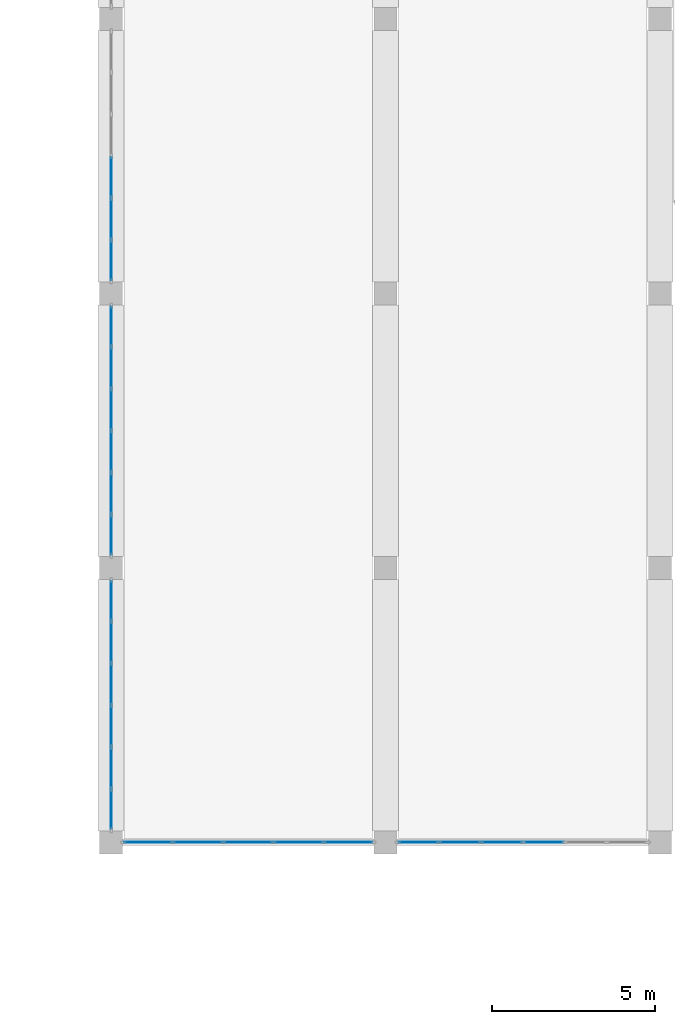
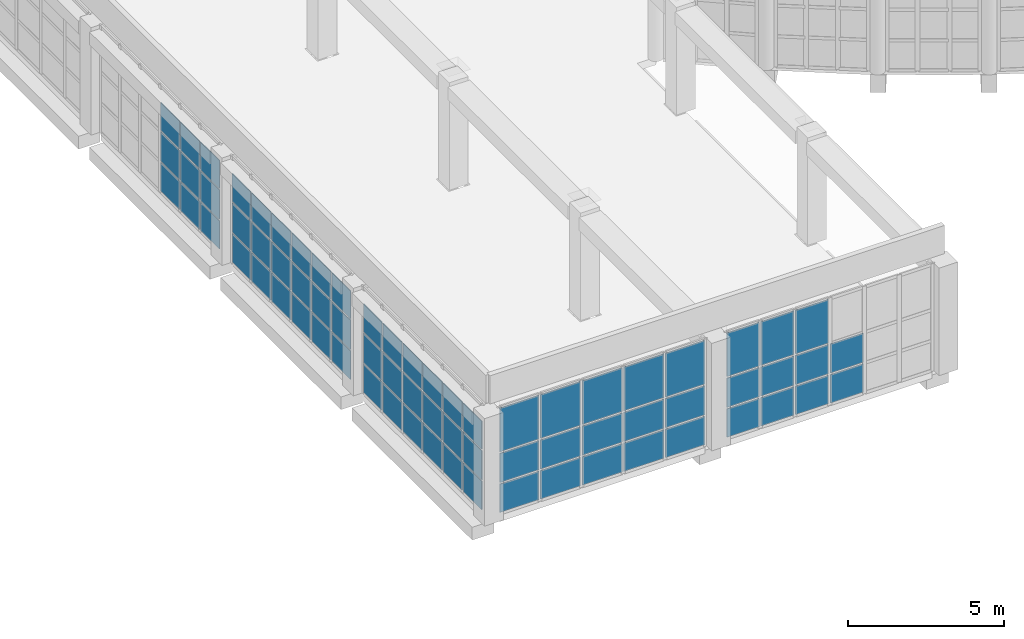
# One storey, part 67 of 162: 71 plates, 5 elements without a shape of their own.
"""IFC4 building model written with IfcOpenShell, lengths in metres."""

from ifc_helpers import new_model, si_unit, direction, frame, origin, origin_2d, place, context, subcontext, project, spatial, rectangle, extrude, material, layer, layer_set, type_object, element, aggregate, save


model = new_model("IFC4")

# Units and contexts
model_context = context("Model", 3, precision=1e-05, world=origin(), true_north=direction((0.0, 1.0)))
body_context = subcontext(model_context, "Body", "Model", "MODEL_VIEW")
ifc_project = project(units=[si_unit("LENGTHUNIT", "METRE"), si_unit("AREAUNIT", "SQUARE_METRE"), si_unit("VOLUMEUNIT", "CUBIC_METRE"), si_unit("PLANEANGLEUNIT", "RADIAN"), si_unit("MASSUNIT", "GRAM", prefix="KILO")], contexts=[model_context])

# Site, building, storey
site_placement = place(None, origin())
site = spatial("IfcSite", under=ifc_project, at=site_placement, CompositionType="ELEMENT")
building_placement = place(site_placement, origin())
building = spatial("IfcBuilding", under=site, at=building_placement, Name="Rain Tree Exposition and Congress Centre", CompositionType="ELEMENT")
storey_placement = place(building_placement, frame((0.0, 0.0, 6.0)))
storey = spatial("IfcBuildingStorey", under=building, at=storey_placement, Name="L01", CompositionType="ELEMENT", Elevation=6.0)

# Curtain wall, plates
ifc_material_1 = material(Name="Aluminium", Category="aluminium")
ifc_layer_1 = layer(ifc_material_1, 0.10009765625)
ifc_layer_set_1 = layer_set([ifc_layer_1], Name="Aluminium")
curtain_wall_type = type_object("IfcCurtainWallType", Name="Curtain wall congress", PredefinedType="NOTDEFINED", material=ifc_layer_set_1)
curtain_wall_1_placement = place(storey_placement, origin())
curtain_wall_1 = element("IfcCurtainWall", 1, at=curtain_wall_1_placement, inside=storey, type_object=curtain_wall_type, Name="Foyer curtain wall L01 bay 1", PredefinedType="NOTDEFINED")
ifc_material_2 = material(Name="Double glazed unit", Category="glass")
ifc_layer_2 = layer(ifc_material_2, 0.028076171875)
ifc_layer_set_2 = layer_set([ifc_layer_2], Name="Double glazed unit")
plate_type = type_object("IfcPlateType", Name="Glazing panel 28 congress", PredefinedType="CURTAIN_PANEL", material=ifc_layer_set_2)
plate_1_placement = place(storey_placement, frame((151.199951171875, 9.40673828125, 0.06005859375), z_axis=(0.0, 0.0, 1.0), x_axis=(0.0, 1.0, 0.0)))
plate_1 = element("IfcPlate", 2, at=plate_1_placement, type_object=plate_type, Name="CWG401 panel 1.1", PredefinedType="CURTAIN_PANEL", context=body_context, shape_type="SweptSolid", body=[
    extrude(rectangle(XDim=1.193359375, YDim=0.028076171875, at=origin_2d()), origin(), (0.0, 0.0, 1.0), 1.110107421875),
])
plate_2_placement = place(storey_placement, frame((151.199951171875, 9.40673828125, 1.22998046875), z_axis=(0.0, 0.0, 1.0), x_axis=(0.0, 1.0, 0.0)))
plate_2 = element("IfcPlate", 3, at=plate_2_placement, type_object=plate_type, Name="CWG401 panel 1.2", PredefinedType="CURTAIN_PANEL", context=body_context, shape_type="SweptSolid", body=[
    extrude(rectangle(XDim=1.193359375, YDim=0.028076171875, at=origin_2d()), origin(), (0.0, 0.0, 1.0), 1.139892578125),
])
plate_3_placement = place(storey_placement, frame((151.199951171875, 9.40673828125, 2.43017578125), z_axis=(0.0, 0.0, 1.0), x_axis=(0.0, 1.0, 0.0)))
plate_3 = element("IfcPlate", 4, at=plate_3_placement, type_object=plate_type, Name="CWG401 panel 1.3", PredefinedType="CURTAIN_PANEL", context=body_context, shape_type="SweptSolid", body=[
    extrude(rectangle(XDim=1.193359375, YDim=0.028076171875, at=origin_2d()), origin(), (0.0, 0.0, 1.0), 1.090087890625),
])
plate_4_placement = place(storey_placement, frame((151.199951171875, 10.675048828125, 0.06005859375), z_axis=(0.0, 0.0, 1.0), x_axis=(0.0, 1.0, 0.0)))
plate_4 = element("IfcPlate", 5, at=plate_4_placement, type_object=plate_type, Name="CWG401 panel 2.1", PredefinedType="CURTAIN_PANEL", context=body_context, shape_type="SweptSolid", body=[
    extrude(rectangle(XDim=1.223388671875, YDim=0.028076171875, at=origin_2d()), origin(), (0.0, 0.0, 1.0), 1.110107421875),
])
plate_5_placement = place(storey_placement, frame((151.199951171875, 10.675048828125, 1.22998046875), z_axis=(0.0, 0.0, 1.0), x_axis=(0.0, 1.0, 0.0)))
plate_5 = element("IfcPlate", 6, at=plate_5_placement, type_object=plate_type, Name="CWG401 panel 2.2", PredefinedType="CURTAIN_PANEL", context=body_context, shape_type="SweptSolid", body=[
    extrude(rectangle(XDim=1.223388671875, YDim=0.028076171875, at=origin_2d()), origin(), (0.0, 0.0, 1.0), 1.139892578125),
])
plate_6_placement = place(storey_placement, frame((151.199951171875, 10.675048828125, 2.43017578125), z_axis=(0.0, 0.0, 1.0), x_axis=(0.0, 1.0, 0.0)))
plate_6 = element("IfcPlate", 7, at=plate_6_placement, type_object=plate_type, Name="CWG401 panel 2.3", PredefinedType="CURTAIN_PANEL", context=body_context, shape_type="SweptSolid", body=[
    extrude(rectangle(XDim=1.223388671875, YDim=0.028076171875, at=origin_2d()), origin(), (0.0, 0.0, 1.0), 1.090087890625),
])
plate_7_placement = place(storey_placement, frame((151.199951171875, 11.958251953125, 0.06005859375), z_axis=(0.0, 0.0, 1.0), x_axis=(0.0, 1.0, 0.0)))
plate_7 = element("IfcPlate", 8, at=plate_7_placement, type_object=plate_type, Name="CWG401 panel 3.1", PredefinedType="CURTAIN_PANEL", context=body_context, shape_type="SweptSolid", body=[
    extrude(rectangle(XDim=1.223388671875, YDim=0.028076171875, at=origin_2d()), origin(), (0.0, 0.0, 1.0), 1.110107421875),
])
plate_8_placement = place(storey_placement, frame((151.199951171875, 11.958251953125, 1.22998046875), z_axis=(0.0, 0.0, 1.0), x_axis=(0.0, 1.0, 0.0)))
plate_8 = element("IfcPlate", 9, at=plate_8_placement, type_object=plate_type, Name="CWG401 panel 3.2", PredefinedType="CURTAIN_PANEL", context=body_context, shape_type="SweptSolid", body=[
    extrude(rectangle(XDim=1.223388671875, YDim=0.028076171875, at=origin_2d()), origin(), (0.0, 0.0, 1.0), 1.139892578125),
])
plate_9_placement = place(storey_placement, frame((151.199951171875, 11.958251953125, 2.43017578125), z_axis=(0.0, 0.0, 1.0), x_axis=(0.0, 1.0, 0.0)))
plate_9 = element("IfcPlate", 10, at=plate_9_placement, type_object=plate_type, Name="CWG401 panel 3.3", PredefinedType="CURTAIN_PANEL", context=body_context, shape_type="SweptSolid", body=[
    extrude(rectangle(XDim=1.223388671875, YDim=0.028076171875, at=origin_2d()), origin(), (0.0, 0.0, 1.0), 1.090087890625),
])
plate_10_placement = place(storey_placement, frame((151.199951171875, 13.24169921875, 0.06005859375), z_axis=(0.0, 0.0, 1.0), x_axis=(0.0, 1.0, 0.0)))
plate_10 = element("IfcPlate", 11, at=plate_10_placement, type_object=plate_type, Name="CWG401 panel 4.1", PredefinedType="CURTAIN_PANEL", context=body_context, shape_type="SweptSolid", body=[
    extrude(rectangle(XDim=1.223388671875, YDim=0.028076171875, at=origin_2d()), origin(), (0.0, 0.0, 1.0), 1.110107421875),
])
plate_11_placement = place(storey_placement, frame((151.199951171875, 13.24169921875, 1.22998046875), z_axis=(0.0, 0.0, 1.0), x_axis=(0.0, 1.0, 0.0)))
plate_11 = element("IfcPlate", 12, at=plate_11_placement, type_object=plate_type, Name="CWG401 panel 4.2", PredefinedType="CURTAIN_PANEL", context=body_context, shape_type="SweptSolid", body=[
    extrude(rectangle(XDim=1.223388671875, YDim=0.028076171875, at=origin_2d()), origin(), (0.0, 0.0, 1.0), 1.139892578125),
])
plate_12_placement = place(storey_placement, frame((151.199951171875, 13.24169921875, 2.43017578125), z_axis=(0.0, 0.0, 1.0), x_axis=(0.0, 1.0, 0.0)))
plate_12 = element("IfcPlate", 13, at=plate_12_placement, type_object=plate_type, Name="CWG401 panel 4.3", PredefinedType="CURTAIN_PANEL", context=body_context, shape_type="SweptSolid", body=[
    extrude(rectangle(XDim=1.223388671875, YDim=0.028076171875, at=origin_2d()), origin(), (0.0, 0.0, 1.0), 1.090087890625),
])
plate_13_placement = place(storey_placement, frame((151.199951171875, 14.52490234375, 0.06005859375), z_axis=(0.0, 0.0, 1.0), x_axis=(0.0, 1.0, 0.0)))
plate_13 = element("IfcPlate", 14, at=plate_13_placement, type_object=plate_type, Name="CWG401 panel 5.1", PredefinedType="CURTAIN_PANEL", context=body_context, shape_type="SweptSolid", body=[
    extrude(rectangle(XDim=1.223388671875, YDim=0.028076171875, at=origin_2d()), origin(), (0.0, 0.0, 1.0), 1.110107421875),
])
plate_14_placement = place(storey_placement, frame((151.199951171875, 14.52490234375, 1.22998046875), z_axis=(0.0, 0.0, 1.0), x_axis=(0.0, 1.0, 0.0)))
plate_14 = element("IfcPlate", 15, at=plate_14_placement, type_object=plate_type, Name="CWG401 panel 5.2", PredefinedType="CURTAIN_PANEL", context=body_context, shape_type="SweptSolid", body=[
    extrude(rectangle(XDim=1.223388671875, YDim=0.028076171875, at=origin_2d()), origin(), (0.0, 0.0, 1.0), 1.139892578125),
])
plate_15_placement = place(storey_placement, frame((151.199951171875, 14.52490234375, 2.43017578125), z_axis=(0.0, 0.0, 1.0), x_axis=(0.0, 1.0, 0.0)))
plate_15 = element("IfcPlate", 16, at=plate_15_placement, type_object=plate_type, Name="CWG401 panel 5.3", PredefinedType="CURTAIN_PANEL", context=body_context, shape_type="SweptSolid", body=[
    extrude(rectangle(XDim=1.223388671875, YDim=0.028076171875, at=origin_2d()), origin(), (0.0, 0.0, 1.0), 1.090087890625),
])
plate_16_placement = place(storey_placement, frame((151.199951171875, 15.793212890625, 0.06005859375), z_axis=(0.0, 0.0, 1.0), x_axis=(0.0, 1.0, 0.0)))
plate_16 = element("IfcPlate", 17, at=plate_16_placement, type_object=plate_type, Name="CWG401 panel 6.1", PredefinedType="CURTAIN_PANEL", context=body_context, shape_type="SweptSolid", body=[
    extrude(rectangle(XDim=1.193359375, YDim=0.028076171875, at=origin_2d()), origin(), (0.0, 0.0, 1.0), 1.110107421875),
])
plate_17_placement = place(storey_placement, frame((151.199951171875, 15.793212890625, 1.22998046875), z_axis=(0.0, 0.0, 1.0), x_axis=(0.0, 1.0, 0.0)))
plate_17 = element("IfcPlate", 18, at=plate_17_placement, type_object=plate_type, Name="CWG401 panel 6.2", PredefinedType="CURTAIN_PANEL", context=body_context, shape_type="SweptSolid", body=[
    extrude(rectangle(XDim=1.193359375, YDim=0.028076171875, at=origin_2d()), origin(), (0.0, 0.0, 1.0), 1.139892578125),
])
plate_18_placement = place(storey_placement, frame((151.199951171875, 15.793212890625, 2.43017578125), z_axis=(0.0, 0.0, 1.0), x_axis=(0.0, 1.0, 0.0)))
plate_18 = element("IfcPlate", 19, at=plate_18_placement, type_object=plate_type, Name="CWG401 panel 6.3", PredefinedType="CURTAIN_PANEL", context=body_context, shape_type="SweptSolid", body=[
    extrude(rectangle(XDim=1.193359375, YDim=0.028076171875, at=origin_2d()), origin(), (0.0, 0.0, 1.0), 1.090087890625),
])
aggregate(curtain_wall_1, [plate_1, plate_2, plate_3, plate_4, plate_5, plate_6, plate_7, plate_8, plate_9, plate_10, plate_11, plate_12, plate_13, plate_14, plate_15, plate_16, plate_17, plate_18])

curtain_wall_2_placement = place(storey_placement, origin())
curtain_wall_2 = element("IfcCurtainWall", 20, at=curtain_wall_2_placement, inside=storey, type_object=curtain_wall_type, Name="Foyer curtain wall L01 bay 2", PredefinedType="NOTDEFINED")
plate_19_placement = place(storey_placement, frame((151.199951171875, 17.806640625, 0.06005859375), z_axis=(0.0, 0.0, 1.0), x_axis=(0.0, 1.0, 0.0)))
plate_19 = element("IfcPlate", 21, at=plate_19_placement, type_object=plate_type, Name="CWG402 panel 1.1", PredefinedType="CURTAIN_PANEL", context=body_context, shape_type="SweptSolid", body=[
    extrude(rectangle(XDim=1.193359375, YDim=0.028076171875, at=origin_2d()), origin(), (0.0, 0.0, 1.0), 1.110107421875),
])
plate_20_placement = place(storey_placement, frame((151.199951171875, 17.806640625, 1.22998046875), z_axis=(0.0, 0.0, 1.0), x_axis=(0.0, 1.0, 0.0)))
plate_20 = element("IfcPlate", 22, at=plate_20_placement, type_object=plate_type, Name="CWG402 panel 1.2", PredefinedType="CURTAIN_PANEL", context=body_context, shape_type="SweptSolid", body=[
    extrude(rectangle(XDim=1.193359375, YDim=0.028076171875, at=origin_2d()), origin(), (0.0, 0.0, 1.0), 1.139892578125),
])
plate_21_placement = place(storey_placement, frame((151.199951171875, 17.806640625, 2.43017578125), z_axis=(0.0, 0.0, 1.0), x_axis=(0.0, 1.0, 0.0)))
plate_21 = element("IfcPlate", 23, at=plate_21_placement, type_object=plate_type, Name="CWG402 panel 1.3", PredefinedType="CURTAIN_PANEL", context=body_context, shape_type="SweptSolid", body=[
    extrude(rectangle(XDim=1.193359375, YDim=0.028076171875, at=origin_2d()), origin(), (0.0, 0.0, 1.0), 1.090087890625),
])
plate_22_placement = place(storey_placement, frame((151.199951171875, 19.074951171875, 0.06005859375), z_axis=(0.0, 0.0, 1.0), x_axis=(0.0, 1.0, 0.0)))
plate_22 = element("IfcPlate", 24, at=plate_22_placement, type_object=plate_type, Name="CWG402 panel 2.1", PredefinedType="CURTAIN_PANEL", context=body_context, shape_type="SweptSolid", body=[
    extrude(rectangle(XDim=1.223388671875, YDim=0.028076171875, at=origin_2d()), origin(), (0.0, 0.0, 1.0), 1.110107421875),
])
plate_23_placement = place(storey_placement, frame((151.199951171875, 19.074951171875, 1.22998046875), z_axis=(0.0, 0.0, 1.0), x_axis=(0.0, 1.0, 0.0)))
plate_23 = element("IfcPlate", 25, at=plate_23_placement, type_object=plate_type, Name="CWG402 panel 2.2", PredefinedType="CURTAIN_PANEL", context=body_context, shape_type="SweptSolid", body=[
    extrude(rectangle(XDim=1.223388671875, YDim=0.028076171875, at=origin_2d()), origin(), (0.0, 0.0, 1.0), 1.139892578125),
])
plate_24_placement = place(storey_placement, frame((151.199951171875, 19.074951171875, 2.43017578125), z_axis=(0.0, 0.0, 1.0), x_axis=(0.0, 1.0, 0.0)))
plate_24 = element("IfcPlate", 26, at=plate_24_placement, type_object=plate_type, Name="CWG402 panel 2.3", PredefinedType="CURTAIN_PANEL", context=body_context, shape_type="SweptSolid", body=[
    extrude(rectangle(XDim=1.223388671875, YDim=0.028076171875, at=origin_2d()), origin(), (0.0, 0.0, 1.0), 1.090087890625),
])
plate_25_placement = place(storey_placement, frame((151.199951171875, 20.3583984375, 0.06005859375), z_axis=(0.0, 0.0, 1.0), x_axis=(0.0, 1.0, 0.0)))
plate_25 = element("IfcPlate", 27, at=plate_25_placement, type_object=plate_type, Name="CWG402 panel 3.1", PredefinedType="CURTAIN_PANEL", context=body_context, shape_type="SweptSolid", body=[
    extrude(rectangle(XDim=1.223388671875, YDim=0.028076171875, at=origin_2d()), origin(), (0.0, 0.0, 1.0), 1.110107421875),
])
plate_26_placement = place(storey_placement, frame((151.199951171875, 20.3583984375, 1.22998046875), z_axis=(0.0, 0.0, 1.0), x_axis=(0.0, 1.0, 0.0)))
plate_26 = element("IfcPlate", 28, at=plate_26_placement, type_object=plate_type, Name="CWG402 panel 3.2", PredefinedType="CURTAIN_PANEL", context=body_context, shape_type="SweptSolid", body=[
    extrude(rectangle(XDim=1.223388671875, YDim=0.028076171875, at=origin_2d()), origin(), (0.0, 0.0, 1.0), 1.139892578125),
])
plate_27_placement = place(storey_placement, frame((151.199951171875, 20.3583984375, 2.43017578125), z_axis=(0.0, 0.0, 1.0), x_axis=(0.0, 1.0, 0.0)))
plate_27 = element("IfcPlate", 29, at=plate_27_placement, type_object=plate_type, Name="CWG402 panel 3.3", PredefinedType="CURTAIN_PANEL", context=body_context, shape_type="SweptSolid", body=[
    extrude(rectangle(XDim=1.223388671875, YDim=0.028076171875, at=origin_2d()), origin(), (0.0, 0.0, 1.0), 1.090087890625),
])
plate_28_placement = place(storey_placement, frame((151.199951171875, 21.6416015625, 0.06005859375), z_axis=(0.0, 0.0, 1.0), x_axis=(0.0, 1.0, 0.0)))
plate_28 = element("IfcPlate", 30, at=plate_28_placement, type_object=plate_type, Name="CWG402 panel 4.1", PredefinedType="CURTAIN_PANEL", context=body_context, shape_type="SweptSolid", body=[
    extrude(rectangle(XDim=1.223388671875, YDim=0.028076171875, at=origin_2d()), origin(), (0.0, 0.0, 1.0), 1.110107421875),
])
plate_29_placement = place(storey_placement, frame((151.199951171875, 21.6416015625, 1.22998046875), z_axis=(0.0, 0.0, 1.0), x_axis=(0.0, 1.0, 0.0)))
plate_29 = element("IfcPlate", 31, at=plate_29_placement, type_object=plate_type, Name="CWG402 panel 4.2", PredefinedType="CURTAIN_PANEL", context=body_context, shape_type="SweptSolid", body=[
    extrude(rectangle(XDim=1.223388671875, YDim=0.028076171875, at=origin_2d()), origin(), (0.0, 0.0, 1.0), 1.139892578125),
])
plate_30_placement = place(storey_placement, frame((151.199951171875, 21.6416015625, 2.43017578125), z_axis=(0.0, 0.0, 1.0), x_axis=(0.0, 1.0, 0.0)))
plate_30 = element("IfcPlate", 32, at=plate_30_placement, type_object=plate_type, Name="CWG402 panel 4.3", PredefinedType="CURTAIN_PANEL", context=body_context, shape_type="SweptSolid", body=[
    extrude(rectangle(XDim=1.223388671875, YDim=0.028076171875, at=origin_2d()), origin(), (0.0, 0.0, 1.0), 1.090087890625),
])
plate_31_placement = place(storey_placement, frame((151.199951171875, 22.925048828125, 0.06005859375), z_axis=(0.0, 0.0, 1.0), x_axis=(0.0, 1.0, 0.0)))
plate_31 = element("IfcPlate", 33, at=plate_31_placement, type_object=plate_type, Name="CWG402 panel 5.1", PredefinedType="CURTAIN_PANEL", context=body_context, shape_type="SweptSolid", body=[
    extrude(rectangle(XDim=1.223388671875, YDim=0.028076171875, at=origin_2d()), origin(), (0.0, 0.0, 1.0), 1.110107421875),
])
plate_32_placement = place(storey_placement, frame((151.199951171875, 22.925048828125, 1.22998046875), z_axis=(0.0, 0.0, 1.0), x_axis=(0.0, 1.0, 0.0)))
plate_32 = element("IfcPlate", 34, at=plate_32_placement, type_object=plate_type, Name="CWG402 panel 5.2", PredefinedType="CURTAIN_PANEL", context=body_context, shape_type="SweptSolid", body=[
    extrude(rectangle(XDim=1.223388671875, YDim=0.028076171875, at=origin_2d()), origin(), (0.0, 0.0, 1.0), 1.139892578125),
])
plate_33_placement = place(storey_placement, frame((151.199951171875, 22.925048828125, 2.43017578125), z_axis=(0.0, 0.0, 1.0), x_axis=(0.0, 1.0, 0.0)))
plate_33 = element("IfcPlate", 35, at=plate_33_placement, type_object=plate_type, Name="CWG402 panel 5.3", PredefinedType="CURTAIN_PANEL", context=body_context, shape_type="SweptSolid", body=[
    extrude(rectangle(XDim=1.223388671875, YDim=0.028076171875, at=origin_2d()), origin(), (0.0, 0.0, 1.0), 1.090087890625),
])
plate_34_placement = place(storey_placement, frame((151.199951171875, 24.193359375, 0.06005859375), z_axis=(0.0, 0.0, 1.0), x_axis=(0.0, 1.0, 0.0)))
plate_34 = element("IfcPlate", 36, at=plate_34_placement, type_object=plate_type, Name="CWG402 panel 6.1", PredefinedType="CURTAIN_PANEL", context=body_context, shape_type="SweptSolid", body=[
    extrude(rectangle(XDim=1.193359375, YDim=0.028076171875, at=origin_2d()), origin(), (0.0, 0.0, 1.0), 1.110107421875),
])
plate_35_placement = place(storey_placement, frame((151.199951171875, 24.193359375, 1.22998046875), z_axis=(0.0, 0.0, 1.0), x_axis=(0.0, 1.0, 0.0)))
plate_35 = element("IfcPlate", 37, at=plate_35_placement, type_object=plate_type, Name="CWG402 panel 6.2", PredefinedType="CURTAIN_PANEL", context=body_context, shape_type="SweptSolid", body=[
    extrude(rectangle(XDim=1.193359375, YDim=0.028076171875, at=origin_2d()), origin(), (0.0, 0.0, 1.0), 1.139892578125),
])
plate_36_placement = place(storey_placement, frame((151.199951171875, 24.193359375, 2.43017578125), z_axis=(0.0, 0.0, 1.0), x_axis=(0.0, 1.0, 0.0)))
plate_36 = element("IfcPlate", 38, at=plate_36_placement, type_object=plate_type, Name="CWG402 panel 6.3", PredefinedType="CURTAIN_PANEL", context=body_context, shape_type="SweptSolid", body=[
    extrude(rectangle(XDim=1.193359375, YDim=0.028076171875, at=origin_2d()), origin(), (0.0, 0.0, 1.0), 1.090087890625),
])
aggregate(curtain_wall_2, [plate_19, plate_20, plate_21, plate_22, plate_23, plate_24, plate_25, plate_26, plate_27, plate_28, plate_29, plate_30, plate_31, plate_32, plate_33, plate_34, plate_35, plate_36])

curtain_wall_3_placement = place(storey_placement, origin())
curtain_wall_3 = element("IfcCurtainWall", 39, at=curtain_wall_3_placement, inside=storey, type_object=curtain_wall_type, Name="Foyer curtain wall L01 bay 3", PredefinedType="NOTDEFINED")
plate_37_placement = place(storey_placement, frame((151.199951171875, 26.206787109375, 0.06005859375), z_axis=(0.0, 0.0, 1.0), x_axis=(0.0, 1.0, 0.0)))
plate_37 = element("IfcPlate", 40, at=plate_37_placement, type_object=plate_type, Name="CWG403 panel 1.1", PredefinedType="CURTAIN_PANEL", context=body_context, shape_type="SweptSolid", body=[
    extrude(rectangle(XDim=1.193359375, YDim=0.028076171875, at=origin_2d()), origin(), (0.0, 0.0, 1.0), 1.110107421875),
])
plate_38_placement = place(storey_placement, frame((151.199951171875, 26.206787109375, 1.22998046875), z_axis=(0.0, 0.0, 1.0), x_axis=(0.0, 1.0, 0.0)))
plate_38 = element("IfcPlate", 41, at=plate_38_placement, type_object=plate_type, Name="CWG403 panel 1.2", PredefinedType="CURTAIN_PANEL", context=body_context, shape_type="SweptSolid", body=[
    extrude(rectangle(XDim=1.193359375, YDim=0.028076171875, at=origin_2d()), origin(), (0.0, 0.0, 1.0), 1.139892578125),
])
plate_39_placement = place(storey_placement, frame((151.199951171875, 26.206787109375, 2.43017578125), z_axis=(0.0, 0.0, 1.0), x_axis=(0.0, 1.0, 0.0)))
plate_39 = element("IfcPlate", 42, at=plate_39_placement, type_object=plate_type, Name="CWG403 panel 1.3", PredefinedType="CURTAIN_PANEL", context=body_context, shape_type="SweptSolid", body=[
    extrude(rectangle(XDim=1.193359375, YDim=0.028076171875, at=origin_2d()), origin(), (0.0, 0.0, 1.0), 1.090087890625),
])
plate_40_placement = place(storey_placement, frame((151.199951171875, 27.47509765625, 0.06005859375), z_axis=(0.0, 0.0, 1.0), x_axis=(0.0, 1.0, 0.0)))
plate_40 = element("IfcPlate", 43, at=plate_40_placement, type_object=plate_type, Name="CWG403 panel 2.1", PredefinedType="CURTAIN_PANEL", context=body_context, shape_type="SweptSolid", body=[
    extrude(rectangle(XDim=1.223388671875, YDim=0.028076171875, at=origin_2d()), origin(), (0.0, 0.0, 1.0), 1.110107421875),
])
plate_41_placement = place(storey_placement, frame((151.199951171875, 27.47509765625, 1.22998046875), z_axis=(0.0, 0.0, 1.0), x_axis=(0.0, 1.0, 0.0)))
plate_41 = element("IfcPlate", 44, at=plate_41_placement, type_object=plate_type, Name="CWG403 panel 2.2", PredefinedType="CURTAIN_PANEL", context=body_context, shape_type="SweptSolid", body=[
    extrude(rectangle(XDim=1.223388671875, YDim=0.028076171875, at=origin_2d()), origin(), (0.0, 0.0, 1.0), 1.139892578125),
])
plate_42_placement = place(storey_placement, frame((151.199951171875, 27.47509765625, 2.43017578125), z_axis=(0.0, 0.0, 1.0), x_axis=(0.0, 1.0, 0.0)))
plate_42 = element("IfcPlate", 45, at=plate_42_placement, type_object=plate_type, Name="CWG403 panel 2.3", PredefinedType="CURTAIN_PANEL", context=body_context, shape_type="SweptSolid", body=[
    extrude(rectangle(XDim=1.223388671875, YDim=0.028076171875, at=origin_2d()), origin(), (0.0, 0.0, 1.0), 1.090087890625),
])
plate_43_placement = place(storey_placement, frame((151.199951171875, 28.75830078125, 0.06005859375), z_axis=(0.0, 0.0, 1.0), x_axis=(0.0, 1.0, 0.0)))
plate_43 = element("IfcPlate", 46, at=plate_43_placement, type_object=plate_type, Name="CWG403 panel 3.1", PredefinedType="CURTAIN_PANEL", context=body_context, shape_type="SweptSolid", body=[
    extrude(rectangle(XDim=1.223388671875, YDim=0.028076171875, at=origin_2d()), origin(), (0.0, 0.0, 1.0), 1.110107421875),
])
plate_44_placement = place(storey_placement, frame((151.199951171875, 28.75830078125, 1.22998046875), z_axis=(0.0, 0.0, 1.0), x_axis=(0.0, 1.0, 0.0)))
plate_44 = element("IfcPlate", 47, at=plate_44_placement, type_object=plate_type, Name="CWG403 panel 3.2", PredefinedType="CURTAIN_PANEL", context=body_context, shape_type="SweptSolid", body=[
    extrude(rectangle(XDim=1.223388671875, YDim=0.028076171875, at=origin_2d()), origin(), (0.0, 0.0, 1.0), 1.139892578125),
])
plate_45_placement = place(storey_placement, frame((151.199951171875, 28.75830078125, 2.43017578125), z_axis=(0.0, 0.0, 1.0), x_axis=(0.0, 1.0, 0.0)))
plate_45 = element("IfcPlate", 48, at=plate_45_placement, type_object=plate_type, Name="CWG403 panel 3.3", PredefinedType="CURTAIN_PANEL", context=body_context, shape_type="SweptSolid", body=[
    extrude(rectangle(XDim=1.223388671875, YDim=0.028076171875, at=origin_2d()), origin(), (0.0, 0.0, 1.0), 1.090087890625),
])
aggregate(curtain_wall_3, [plate_37, plate_38, plate_39, plate_40, plate_41, plate_42, plate_43, plate_44, plate_45])

curtain_wall_4_placement = place(storey_placement, origin())
curtain_wall_4 = element("IfcCurtainWall", 49, at=curtain_wall_4_placement, inside=storey, type_object=curtain_wall_type, Name="Foyer south curtain wall L01 bay 1", PredefinedType="NOTDEFINED")
plate_46_placement = place(storey_placement, frame((152.3349609375, 8.39990234375, 0.06005859375), z_axis=(0.0, 0.0, 1.0), x_axis=(1.0, 0.0, 0.0)))
plate_46 = element("IfcPlate", 50, at=plate_46_placement, type_object=plate_type, Name="CWG601 panel 1.1", PredefinedType="CURTAIN_PANEL", context=body_context, shape_type="SweptSolid", body=[
    extrude(rectangle(XDim=1.449951171875, YDim=0.028076171875, at=origin_2d()), origin(), (0.0, 0.0, 1.0), 1.110107421875),
])
plate_47_placement = place(storey_placement, frame((152.3349609375, 8.39990234375, 1.22998046875), z_axis=(0.0, 0.0, 1.0), x_axis=(1.0, 0.0, 0.0)))
plate_47 = element("IfcPlate", 51, at=plate_47_placement, type_object=plate_type, Name="CWG601 panel 1.2", PredefinedType="CURTAIN_PANEL", context=body_context, shape_type="SweptSolid", body=[
    extrude(rectangle(XDim=1.449951171875, YDim=0.028076171875, at=origin_2d()), origin(), (0.0, 0.0, 1.0), 1.139892578125),
])
plate_48_placement = place(storey_placement, frame((152.3349609375, 8.39990234375, 2.429931640625), z_axis=(0.0, 0.0, 1.0), x_axis=(1.0, 0.0, 0.0)))
plate_48 = element("IfcPlate", 52, at=plate_48_placement, type_object=plate_type, Name="CWG601 panel 1.3", PredefinedType="CURTAIN_PANEL", context=body_context, shape_type="SweptSolid", body=[
    extrude(rectangle(XDim=1.449951171875, YDim=0.028076171875, at=origin_2d()), origin(), (0.0, 0.0, 1.0), 1.7099609375),
])
plate_49_placement = place(storey_placement, frame((153.860107421875, 8.39990234375, 0.06005859375), z_axis=(0.0, 0.0, 1.0), x_axis=(1.0, 0.0, 0.0)))
plate_49 = element("IfcPlate", 53, at=plate_49_placement, type_object=plate_type, Name="CWG601 panel 2.1", PredefinedType="CURTAIN_PANEL", context=body_context, shape_type="SweptSolid", body=[
    extrude(rectangle(XDim=1.47998046875, YDim=0.028076171875, at=origin_2d()), origin(), (0.0, 0.0, 1.0), 1.110107421875),
])
plate_50_placement = place(storey_placement, frame((153.860107421875, 8.39990234375, 1.22998046875), z_axis=(0.0, 0.0, 1.0), x_axis=(1.0, 0.0, 0.0)))
plate_50 = element("IfcPlate", 54, at=plate_50_placement, type_object=plate_type, Name="CWG601 panel 2.2", PredefinedType="CURTAIN_PANEL", context=body_context, shape_type="SweptSolid", body=[
    extrude(rectangle(XDim=1.47998046875, YDim=0.028076171875, at=origin_2d()), origin(), (0.0, 0.0, 1.0), 1.139892578125),
])
plate_51_placement = place(storey_placement, frame((153.860107421875, 8.39990234375, 2.429931640625), z_axis=(0.0, 0.0, 1.0), x_axis=(1.0, 0.0, 0.0)))
plate_51 = element("IfcPlate", 55, at=plate_51_placement, type_object=plate_type, Name="CWG601 panel 2.3", PredefinedType="CURTAIN_PANEL", context=body_context, shape_type="SweptSolid", body=[
    extrude(rectangle(XDim=1.47998046875, YDim=0.028076171875, at=origin_2d()), origin(), (0.0, 0.0, 1.0), 1.7099609375),
])
plate_52_placement = place(storey_placement, frame((155.39990234375, 8.39990234375, 0.06005859375), z_axis=(0.0, 0.0, 1.0), x_axis=(1.0, 0.0, 0.0)))
plate_52 = element("IfcPlate", 56, at=plate_52_placement, type_object=plate_type, Name="CWG601 panel 3.1", PredefinedType="CURTAIN_PANEL", context=body_context, shape_type="SweptSolid", body=[
    extrude(rectangle(XDim=1.47998046875, YDim=0.028076171875, at=origin_2d()), origin(), (0.0, 0.0, 1.0), 1.110107421875),
])
plate_53_placement = place(storey_placement, frame((155.39990234375, 8.39990234375, 1.22998046875), z_axis=(0.0, 0.0, 1.0), x_axis=(1.0, 0.0, 0.0)))
plate_53 = element("IfcPlate", 57, at=plate_53_placement, type_object=plate_type, Name="CWG601 panel 3.2", PredefinedType="CURTAIN_PANEL", context=body_context, shape_type="SweptSolid", body=[
    extrude(rectangle(XDim=1.47998046875, YDim=0.028076171875, at=origin_2d()), origin(), (0.0, 0.0, 1.0), 1.139892578125),
])
plate_54_placement = place(storey_placement, frame((155.39990234375, 8.39990234375, 2.429931640625), z_axis=(0.0, 0.0, 1.0), x_axis=(1.0, 0.0, 0.0)))
plate_54 = element("IfcPlate", 58, at=plate_54_placement, type_object=plate_type, Name="CWG601 panel 3.3", PredefinedType="CURTAIN_PANEL", context=body_context, shape_type="SweptSolid", body=[
    extrude(rectangle(XDim=1.47998046875, YDim=0.028076171875, at=origin_2d()), origin(), (0.0, 0.0, 1.0), 1.7099609375),
])
plate_55_placement = place(storey_placement, frame((156.93994140625, 8.39990234375, 0.06005859375), z_axis=(0.0, 0.0, 1.0), x_axis=(1.0, 0.0, 0.0)))
plate_55 = element("IfcPlate", 59, at=plate_55_placement, type_object=plate_type, Name="CWG601 panel 4.1", PredefinedType="CURTAIN_PANEL", context=body_context, shape_type="SweptSolid", body=[
    extrude(rectangle(XDim=1.47998046875, YDim=0.028076171875, at=origin_2d()), origin(), (0.0, 0.0, 1.0), 1.110107421875),
])
plate_56_placement = place(storey_placement, frame((156.93994140625, 8.39990234375, 1.22998046875), z_axis=(0.0, 0.0, 1.0), x_axis=(1.0, 0.0, 0.0)))
plate_56 = element("IfcPlate", 60, at=plate_56_placement, type_object=plate_type, Name="CWG601 panel 4.2", PredefinedType="CURTAIN_PANEL", context=body_context, shape_type="SweptSolid", body=[
    extrude(rectangle(XDim=1.47998046875, YDim=0.028076171875, at=origin_2d()), origin(), (0.0, 0.0, 1.0), 1.139892578125),
])
plate_57_placement = place(storey_placement, frame((156.93994140625, 8.39990234375, 2.429931640625), z_axis=(0.0, 0.0, 1.0), x_axis=(1.0, 0.0, 0.0)))
plate_57 = element("IfcPlate", 61, at=plate_57_placement, type_object=plate_type, Name="CWG601 panel 4.3", PredefinedType="CURTAIN_PANEL", context=body_context, shape_type="SweptSolid", body=[
    extrude(rectangle(XDim=1.47998046875, YDim=0.028076171875, at=origin_2d()), origin(), (0.0, 0.0, 1.0), 1.7099609375),
])
plate_58_placement = place(storey_placement, frame((158.465087890625, 8.39990234375, 0.06005859375), z_axis=(0.0, 0.0, 1.0), x_axis=(1.0, 0.0, 0.0)))
plate_58 = element("IfcPlate", 62, at=plate_58_placement, type_object=plate_type, Name="CWG601 panel 5.1", PredefinedType="CURTAIN_PANEL", context=body_context, shape_type="SweptSolid", body=[
    extrude(rectangle(XDim=1.449951171875, YDim=0.028076171875, at=origin_2d()), origin(), (0.0, 0.0, 1.0), 1.110107421875),
])
plate_59_placement = place(storey_placement, frame((158.465087890625, 8.39990234375, 1.22998046875), z_axis=(0.0, 0.0, 1.0), x_axis=(1.0, 0.0, 0.0)))
plate_59 = element("IfcPlate", 63, at=plate_59_placement, type_object=plate_type, Name="CWG601 panel 5.2", PredefinedType="CURTAIN_PANEL", context=body_context, shape_type="SweptSolid", body=[
    extrude(rectangle(XDim=1.449951171875, YDim=0.028076171875, at=origin_2d()), origin(), (0.0, 0.0, 1.0), 1.139892578125),
])
plate_60_placement = place(storey_placement, frame((158.465087890625, 8.39990234375, 2.429931640625), z_axis=(0.0, 0.0, 1.0), x_axis=(1.0, 0.0, 0.0)))
plate_60 = element("IfcPlate", 64, at=plate_60_placement, type_object=plate_type, Name="CWG601 panel 5.3", PredefinedType="CURTAIN_PANEL", context=body_context, shape_type="SweptSolid", body=[
    extrude(rectangle(XDim=1.449951171875, YDim=0.028076171875, at=origin_2d()), origin(), (0.0, 0.0, 1.0), 1.7099609375),
])
aggregate(curtain_wall_4, [plate_46, plate_47, plate_48, plate_49, plate_50, plate_51, plate_52, plate_53, plate_54, plate_55, plate_56, plate_57, plate_58, plate_59, plate_60])

curtain_wall_5_placement = place(storey_placement, origin())
curtain_wall_5 = element("IfcCurtainWall", 65, at=curtain_wall_5_placement, inside=storey, type_object=curtain_wall_type, Name="Foyer south curtain wall L01 bay 2", PredefinedType="NOTDEFINED")
plate_61_placement = place(storey_placement, frame((160.606689453125, 8.39990234375, 0.06005859375), z_axis=(0.0, 0.0, 1.0), x_axis=(1.0, 0.0, 0.0)))
plate_61 = element("IfcPlate", 66, at=plate_61_placement, type_object=plate_type, Name="CWG602 panel 1.1", PredefinedType="CURTAIN_PANEL", context=body_context, shape_type="SweptSolid", body=[
    extrude(rectangle(XDim=1.193359375, YDim=0.028076171875, at=origin_2d()), origin(), (0.0, 0.0, 1.0), 1.110107421875),
])
plate_62_placement = place(storey_placement, frame((160.606689453125, 8.39990234375, 1.22998046875), z_axis=(0.0, 0.0, 1.0), x_axis=(1.0, 0.0, 0.0)))
plate_62 = element("IfcPlate", 67, at=plate_62_placement, type_object=plate_type, Name="CWG602 panel 1.2", PredefinedType="CURTAIN_PANEL", context=body_context, shape_type="SweptSolid", body=[
    extrude(rectangle(XDim=1.193359375, YDim=0.028076171875, at=origin_2d()), origin(), (0.0, 0.0, 1.0), 1.139892578125),
])
plate_63_placement = place(storey_placement, frame((160.606689453125, 8.39990234375, 2.429931640625), z_axis=(0.0, 0.0, 1.0), x_axis=(1.0, 0.0, 0.0)))
plate_63 = element("IfcPlate", 68, at=plate_63_placement, type_object=plate_type, Name="CWG602 panel 1.3", PredefinedType="CURTAIN_PANEL", context=body_context, shape_type="SweptSolid", body=[
    extrude(rectangle(XDim=1.193359375, YDim=0.028076171875, at=origin_2d()), origin(), (0.0, 0.0, 1.0), 1.7099609375),
])
plate_64_placement = place(storey_placement, frame((161.875, 8.39990234375, 0.06005859375), z_axis=(0.0, 0.0, 1.0), x_axis=(1.0, 0.0, 0.0)))
plate_64 = element("IfcPlate", 69, at=plate_64_placement, type_object=plate_type, Name="CWG602 panel 2.1", PredefinedType="CURTAIN_PANEL", context=body_context, shape_type="SweptSolid", body=[
    extrude(rectangle(XDim=1.223388671875, YDim=0.028076171875, at=origin_2d()), origin(), (0.0, 0.0, 1.0), 1.110107421875),
])
plate_65_placement = place(storey_placement, frame((161.875, 8.39990234375, 1.22998046875), z_axis=(0.0, 0.0, 1.0), x_axis=(1.0, 0.0, 0.0)))
plate_65 = element("IfcPlate", 70, at=plate_65_placement, type_object=plate_type, Name="CWG602 panel 2.2", PredefinedType="CURTAIN_PANEL", context=body_context, shape_type="SweptSolid", body=[
    extrude(rectangle(XDim=1.223388671875, YDim=0.028076171875, at=origin_2d()), origin(), (0.0, 0.0, 1.0), 1.139892578125),
])
plate_66_placement = place(storey_placement, frame((161.875, 8.39990234375, 2.429931640625), z_axis=(0.0, 0.0, 1.0), x_axis=(1.0, 0.0, 0.0)))
plate_66 = element("IfcPlate", 71, at=plate_66_placement, type_object=plate_type, Name="CWG602 panel 2.3", PredefinedType="CURTAIN_PANEL", context=body_context, shape_type="SweptSolid", body=[
    extrude(rectangle(XDim=1.223388671875, YDim=0.028076171875, at=origin_2d()), origin(), (0.0, 0.0, 1.0), 1.7099609375),
])
plate_67_placement = place(storey_placement, frame((163.158447265625, 8.39990234375, 0.06005859375), z_axis=(0.0, 0.0, 1.0), x_axis=(1.0, 0.0, 0.0)))
plate_67 = element("IfcPlate", 72, at=plate_67_placement, type_object=plate_type, Name="CWG602 panel 3.1", PredefinedType="CURTAIN_PANEL", context=body_context, shape_type="SweptSolid", body=[
    extrude(rectangle(XDim=1.223388671875, YDim=0.028076171875, at=origin_2d()), origin(), (0.0, 0.0, 1.0), 1.110107421875),
])
plate_68_placement = place(storey_placement, frame((163.158447265625, 8.39990234375, 1.22998046875), z_axis=(0.0, 0.0, 1.0), x_axis=(1.0, 0.0, 0.0)))
plate_68 = element("IfcPlate", 73, at=plate_68_placement, type_object=plate_type, Name="CWG602 panel 3.2", PredefinedType="CURTAIN_PANEL", context=body_context, shape_type="SweptSolid", body=[
    extrude(rectangle(XDim=1.223388671875, YDim=0.028076171875, at=origin_2d()), origin(), (0.0, 0.0, 1.0), 1.139892578125),
])
plate_69_placement = place(storey_placement, frame((163.158447265625, 8.39990234375, 2.429931640625), z_axis=(0.0, 0.0, 1.0), x_axis=(1.0, 0.0, 0.0)))
plate_69 = element("IfcPlate", 74, at=plate_69_placement, type_object=plate_type, Name="CWG602 panel 3.3", PredefinedType="CURTAIN_PANEL", context=body_context, shape_type="SweptSolid", body=[
    extrude(rectangle(XDim=1.223388671875, YDim=0.028076171875, at=origin_2d()), origin(), (0.0, 0.0, 1.0), 1.7099609375),
])
plate_70_placement = place(storey_placement, frame((164.441650390625, 8.39990234375, 0.06005859375), z_axis=(0.0, 0.0, 1.0), x_axis=(1.0, 0.0, 0.0)))
plate_70 = element("IfcPlate", 75, at=plate_70_placement, type_object=plate_type, Name="CWG602 panel 4.1", PredefinedType="CURTAIN_PANEL", context=body_context, shape_type="SweptSolid", body=[
    extrude(rectangle(XDim=1.223388671875, YDim=0.028076171875, at=origin_2d()), origin(), (0.0, 0.0, 1.0), 1.110107421875),
])
plate_71_placement = place(storey_placement, frame((164.441650390625, 8.39990234375, 1.22998046875), z_axis=(0.0, 0.0, 1.0), x_axis=(1.0, 0.0, 0.0)))
plate_71 = element("IfcPlate", 76, at=plate_71_placement, type_object=plate_type, Name="CWG602 panel 4.2", PredefinedType="CURTAIN_PANEL", context=body_context, shape_type="SweptSolid", body=[
    extrude(rectangle(XDim=1.223388671875, YDim=0.028076171875, at=origin_2d()), origin(), (0.0, 0.0, 1.0), 1.139892578125),
])
aggregate(curtain_wall_5, [plate_61, plate_62, plate_63, plate_64, plate_65, plate_66, plate_67, plate_68, plate_69, plate_70, plate_71])

save(model, "model.ifc")
